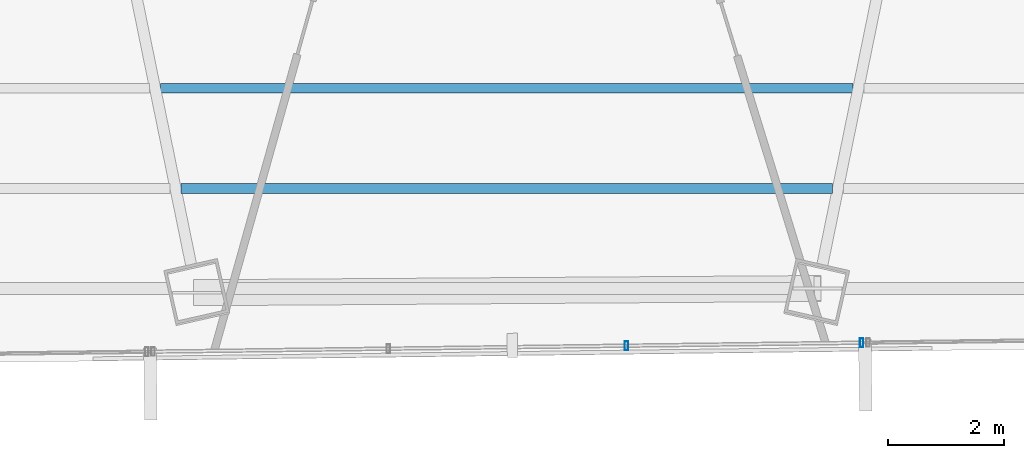
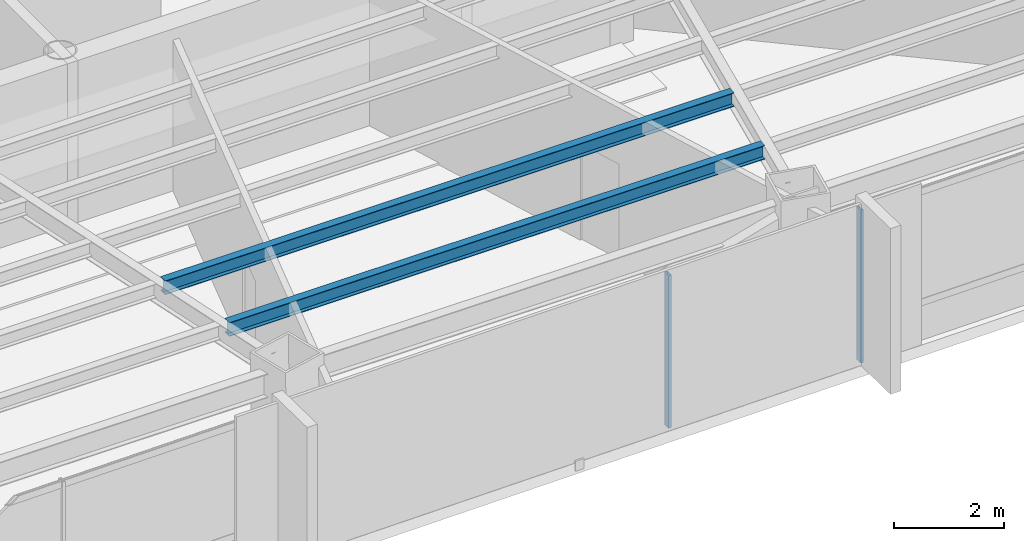
# One storey, part 10 of 41: 2 beams, 2 members, 1 element without a shape of its own.
"""IFC4 building model written with IfcOpenShell, lengths in metres."""

from ifc_helpers import new_model, si_unit, direction, frame, origin, origin_2d, place, context, subcontext, project, spatial, hollow_rectangle, i_section, extrude, source, transform, mapped, material, material_profile, profile_set, type_object, type_shapes, element, aggregate, save


model = new_model("IFC4")

# Units and contexts
model_context = context("Model", 3, precision=1e-05, world=origin(), true_north=direction((0.0, 1.0)))
body_context = subcontext(model_context, "Body", "Model", "MODEL_VIEW")
ifc_project = project(units=[si_unit("LENGTHUNIT", "METRE"), si_unit("AREAUNIT", "SQUARE_METRE"), si_unit("VOLUMEUNIT", "CUBIC_METRE"), si_unit("PLANEANGLEUNIT", "RADIAN"), si_unit("MASSUNIT", "GRAM", prefix="KILO")], contexts=[model_context])

# Site, building, storey
site_placement = place(None, origin())
site = spatial("IfcSite", under=ifc_project, at=site_placement, CompositionType="ELEMENT")
building_placement = place(site_placement, origin())
building = spatial("IfcBuilding", under=site, at=building_placement, Name="Caelisora Broadcast Tower", CompositionType="ELEMENT")
storey_placement = place(building_placement, frame((0.0, 0.0, 135.449951171875)))
storey = spatial("IfcBuildingStorey", under=building, at=storey_placement, Name="L35", CompositionType="ELEMENT", Elevation=135.449951171875)

# Beams
ifc_material_1 = material(Name="Steel Grade 350 (AS/NZS 3679.1)", Category="steel")
ifc_material_profile_1 = material_profile(ifc_material_1, i_section(OverallWidth=0.166015625, OverallDepth=0.30712890625, WebThickness=0.006591796875, FlangeThickness=0.01171875, at=origin_2d()), Name="Steel Grade 350 (AS/NZS 3679.1)")
ifc_profile_set_1 = profile_set([ifc_material_profile_1], Name="Steel Grade 350 (AS/NZS 3679.1)")
beam_type = type_object("IfcBeamType", Name="SB03", PredefinedType="JOIST", material=ifc_profile_set_1)
shared_shape_1 = source(origin(), body_context, "Body", "SweptSolid", [
    extrude(i_section(OverallWidth=0.166015625, OverallDepth=0.30712890625, WebThickness=0.006591796875, FlangeThickness=0.01171875, at=origin_2d()), origin(), (0.0, 0.0, 1.0), 11.9814453125),
])
beam_1_placement = place(storey_placement, frame((32.00927734375, 10.472412109375, 3.246337890625), z_axis=(1.0, 0.0, 0.0), x_axis=(0.0, 1.0, 0.0)))
element("IfcBeam", 1, at=beam_1_placement, inside=storey, type_object=beam_type, Name="L35 beam SB03", PredefinedType="JOIST", context=body_context, shape_type="MappedRepresentation", body=[
    mapped(shared_shape_1, transform((0.0, 0.0, 0.0), scale=1.0)),
])
shared_shape_2 = source(origin(), body_context, "Body", "SweptSolid", [
    extrude(i_section(OverallWidth=0.166015625, OverallDepth=0.30712890625, WebThickness=0.006591796875, FlangeThickness=0.01171875, at=origin_2d()), origin(), (0.0, 0.0, 1.0), 11.2744140625),
])
type_shapes(beam_type, [shared_shape_1, shared_shape_2])
beam_2_placement = place(storey_placement, frame((32.36279296875, 8.740478515625, 3.246337890625), z_axis=(1.0, 0.0, 0.0), x_axis=(0.0, 1.0, 0.0)))
element("IfcBeam", 2, at=beam_2_placement, inside=storey, type_object=beam_type, Name="L35 beam SB03", PredefinedType="JOIST", context=body_context, shape_type="MappedRepresentation", body=[
    mapped(shared_shape_2, transform((0.0, 0.0, 0.0), scale=1.0)),
])

# Curtain wall, members
ifc_material_2 = material(Name="Unitised Aluminium Insulated Shadow-Box Spandrel Curtain Wall", Category="aluminium")
curtain_wall_type = type_object("IfcCurtainWallType", Name="CW-SP2", PredefinedType="NOTDEFINED", material=ifc_material_2)
curtain_wall_placement = place(storey_placement, origin())
curtain_wall = element("IfcCurtainWall", 3, at=curtain_wall_placement, inside=storey, type_object=curtain_wall_type, Name="L35 curtain wall CW-SP2", PredefinedType="NOTDEFINED")
ifc_material_3 = material(Name="Aluminium 6063-T6 Anodised Terracotta Bronze", Category="aluminium")
ifc_material_profile_2 = material_profile(ifc_material_3, hollow_rectangle(XDim=0.06005859375, YDim=0.14990234375, WallThickness=0.00341796875, at=origin_2d()), Name="Aluminium 6063-T6 Anodised Terracotta Bronze")
ifc_profile_set_2 = profile_set([ifc_material_profile_2], Name="Aluminium 6063-T6 Anodised Terracotta Bronze")
member_type = type_object("IfcMemberType", Name="CWM-03", PredefinedType="MULLION", material=ifc_profile_set_2)
shared_shape_3 = source(origin(), body_context, "Body", "SweptSolid", [
    extrude(hollow_rectangle(XDim=0.06005859375, YDim=0.14990234375, WallThickness=0.00341796875, at=origin_2d()), origin(), (0.0, 0.0, 1.0), 3.400146484375),
])
type_shapes(member_type, [shared_shape_3])
member_1_placement = place(storey_placement, frame((44.142578125, 6.071044921875, 0.0), z_axis=(0.0, 0.0, 1.0), x_axis=(1.0, 0.0, 0.0)))
member_1 = element("IfcMember", 4, at=member_1_placement, type_object=member_type, Name="L35-CW-B06 mullion #0", PredefinedType="MULLION", context=body_context, shape_type="MappedRepresentation", body=[
    mapped(shared_shape_3, transform((0.0, 0.0, 0.0), scale=1.0)),
])
member_2_placement = place(storey_placement, frame((40.072021484375, 6.02001953125, 0.0), z_axis=(0.0, 0.0, 1.0), x_axis=(1.0, 0.0, 0.0)))
member_2 = element("IfcMember", 5, at=member_2_placement, type_object=member_type, Name="L35-CW-B06 mullion #1", PredefinedType="MULLION", context=body_context, shape_type="MappedRepresentation", body=[
    mapped(shared_shape_3, transform((0.0, 0.0, 0.0), scale=1.0)),
])
aggregate(curtain_wall, [member_1, member_2])

save(model, "model.ifc")
